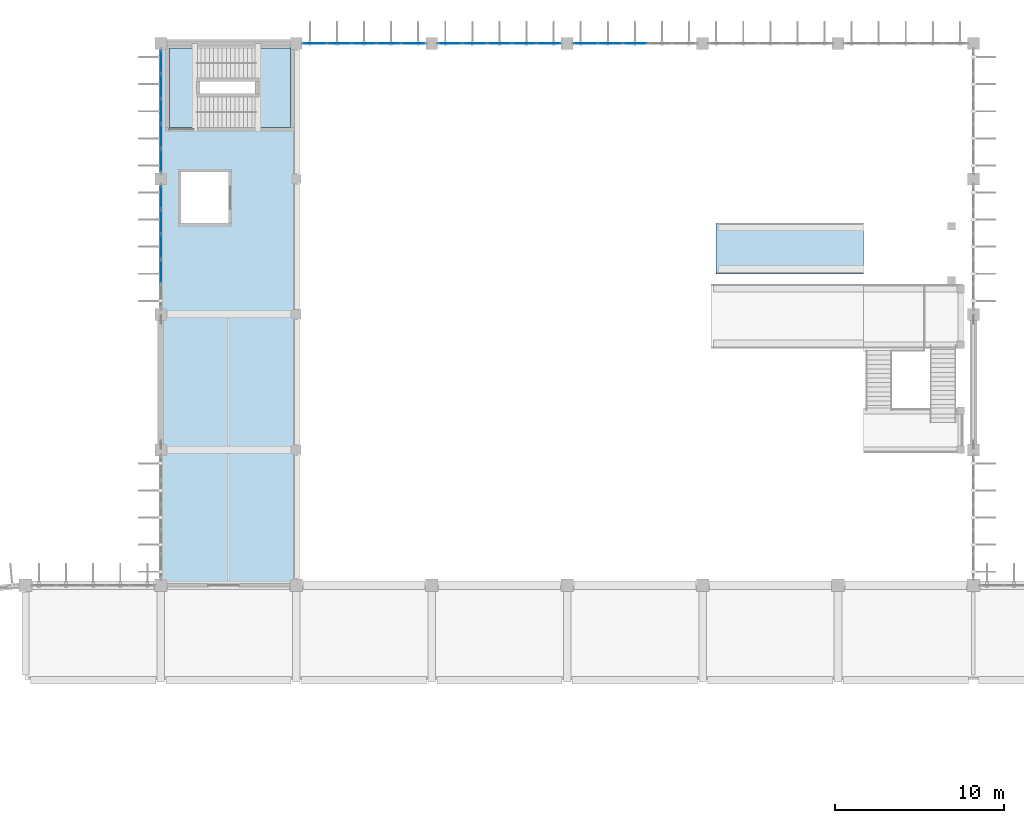
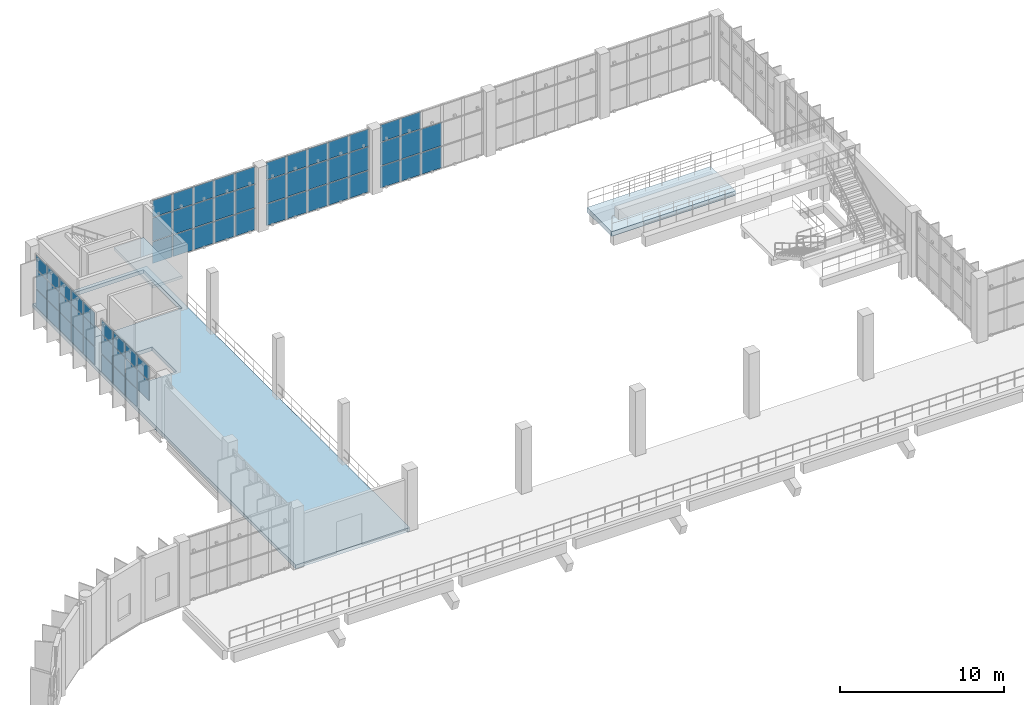
# One storey, part 55 of 93: 64 plates, 4 slabs, 6 elements without a shape of their own.
"""IFC4 building model written with IfcOpenShell, lengths in metres."""

from ifc_helpers import new_model, si_unit, direction, frame, origin, origin_2d, place, context, subcontext, project, spatial, polyline, rectangle, outline, extrude, material, layer, layer_set, type_object, element, aggregate, save


model = new_model("IFC4")

# Units and contexts
model_context = context("Model", 3, precision=1e-05, world=origin(), true_north=direction((0.0, 1.0)))
body_context = subcontext(model_context, "Body", "Model", "MODEL_VIEW")
ifc_project = project(units=[si_unit("LENGTHUNIT", "METRE"), si_unit("AREAUNIT", "SQUARE_METRE"), si_unit("VOLUMEUNIT", "CUBIC_METRE"), si_unit("PLANEANGLEUNIT", "RADIAN"), si_unit("MASSUNIT", "GRAM", prefix="KILO")], contexts=[model_context])

# Site, building, storey
site_placement = place(None, origin())
site = spatial("IfcSite", under=ifc_project, at=site_placement, CompositionType="ELEMENT")
building_placement = place(site_placement, origin())
building = spatial("IfcBuilding", under=site, at=building_placement, Name="Drelvana Railside Aquatics Centre", CompositionType="ELEMENT")
storey_placement = place(building_placement, frame((0.0, 0.0, 5.39990234375)))
storey = spatial("IfcBuildingStorey", under=building, at=storey_placement, Name="L01", CompositionType="ELEMENT", Elevation=5.39990234375)

# Curtain wall, plates
ifc_material_1 = material(Name="Bronze-anodised aluminium curtain wall", Category="aluminium")
ifc_layer_1 = layer(ifc_material_1, 0.179931640625, Name="Bronze-anodised aluminium curtain wall")
ifc_layer_set_1 = layer_set([ifc_layer_1], Name="Bronze-anodised aluminium curtain wall")
curtain_wall_type_1 = type_object("IfcCurtainWallType", Name="CW-Z2-CLER", PredefinedType="NOTDEFINED", material=ifc_layer_set_1)
curtain_wall_1_placement = place(storey_placement, origin())
curtain_wall_1 = element("IfcCurtainWall", 1, at=curtain_wall_1_placement, inside=storey, type_object=curtain_wall_type_1, Name="Curtain wall CW-02-029", PredefinedType="NOTDEFINED")
ifc_material_2 = material(Name="Double-glazed low-e solar-control glass", Category="glass")
ifc_layer_2 = layer(ifc_material_2, 0.028076171875, Name="Double-glazed low-e solar-control glass")
ifc_layer_set_2 = layer_set([ifc_layer_2], Name="Double-glazed low-e solar-control glass")
plate_type_1 = type_object("IfcPlateType", Name="CW-Z2-CLER-PAN", PredefinedType="CURTAIN_PANEL", material=ifc_layer_set_2)
plate_1_placement = place(storey_placement, frame((33.0927734375, 116.0, 0.05419921875), z_axis=(0.0, 0.0, 1.0), x_axis=(1.0, 0.0, 0.0)))
plate_1 = element("IfcPlate", 2, at=plate_1_placement, type_object=plate_type_1, Name="CW-02 panel 1.1", PredefinedType="CURTAIN_PANEL", context=body_context, shape_type="SweptSolid", body=[
    extrude(rectangle(XDim=1.367431640625, YDim=0.028076171875, at=origin_2d()), origin(), (0.0, 0.0, 1.0), 1.591552734375),
])
plate_2_placement = place(storey_placement, frame((33.0927734375, 116.0, 1.70068359375), z_axis=(0.0, 0.0, 1.0), x_axis=(1.0, 0.0, 0.0)))
plate_2 = element("IfcPlate", 3, at=plate_2_placement, type_object=plate_type_1, Name="CW-02 panel 1.2", PredefinedType="CURTAIN_PANEL", context=body_context, shape_type="SweptSolid", body=[
    extrude(rectangle(XDim=1.367431640625, YDim=0.028076171875, at=origin_2d()), origin(), (0.0, 0.0, 1.0), 1.718994140625),
])
plate_3_placement = place(storey_placement, frame((33.0927734375, 116.0, 3.474609375), z_axis=(0.0, 0.0, 1.0), x_axis=(1.0, 0.0, 0.0)))
plate_3 = element("IfcPlate", 4, at=plate_3_placement, type_object=plate_type_1, Name="CW-02 panel 1.3", PredefinedType="CURTAIN_PANEL", context=body_context, shape_type="SweptSolid", body=[
    extrude(rectangle(XDim=1.367431640625, YDim=0.028076171875, at=origin_2d()), origin(), (0.0, 0.0, 1.0), 1.255615234375),
])
plate_4_placement = place(storey_placement, frame((34.53759765625, 116.0, 0.05419921875), z_axis=(0.0, 0.0, 1.0), x_axis=(1.0, 0.0, 0.0)))
plate_4 = element("IfcPlate", 5, at=plate_4_placement, type_object=plate_type_1, Name="CW-02 panel 2.1", PredefinedType="CURTAIN_PANEL", context=body_context, shape_type="SweptSolid", body=[
    extrude(rectangle(XDim=1.40234375, YDim=0.028076171875, at=origin_2d()), origin(), (0.0, 0.0, 1.0), 1.591552734375),
])
plate_5_placement = place(storey_placement, frame((34.53759765625, 116.0, 1.70068359375), z_axis=(0.0, 0.0, 1.0), x_axis=(1.0, 0.0, 0.0)))
plate_5 = element("IfcPlate", 6, at=plate_5_placement, type_object=plate_type_1, Name="CW-02 panel 2.2", PredefinedType="CURTAIN_PANEL", context=body_context, shape_type="SweptSolid", body=[
    extrude(rectangle(XDim=1.40234375, YDim=0.028076171875, at=origin_2d()), origin(), (0.0, 0.0, 1.0), 1.718994140625),
])
plate_6_placement = place(storey_placement, frame((34.53759765625, 116.0, 3.474609375), z_axis=(0.0, 0.0, 1.0), x_axis=(1.0, 0.0, 0.0)))
plate_6 = element("IfcPlate", 7, at=plate_6_placement, type_object=plate_type_1, Name="CW-02 panel 2.3", PredefinedType="CURTAIN_PANEL", context=body_context, shape_type="SweptSolid", body=[
    extrude(rectangle(XDim=1.40234375, YDim=0.028076171875, at=origin_2d()), origin(), (0.0, 0.0, 1.0), 1.255615234375),
])
plate_7_placement = place(storey_placement, frame((36.0, 116.0, 0.05419921875), z_axis=(0.0, 0.0, 1.0), x_axis=(1.0, 0.0, 0.0)))
plate_7 = element("IfcPlate", 8, at=plate_7_placement, type_object=plate_type_1, Name="CW-02 panel 3.1", PredefinedType="CURTAIN_PANEL", context=body_context, shape_type="SweptSolid", body=[
    extrude(rectangle(XDim=1.40234375, YDim=0.028076171875, at=origin_2d()), origin(), (0.0, 0.0, 1.0), 1.591552734375),
])
plate_8_placement = place(storey_placement, frame((36.0, 116.0, 1.70068359375), z_axis=(0.0, 0.0, 1.0), x_axis=(1.0, 0.0, 0.0)))
plate_8 = element("IfcPlate", 9, at=plate_8_placement, type_object=plate_type_1, Name="CW-02 panel 3.2", PredefinedType="CURTAIN_PANEL", context=body_context, shape_type="SweptSolid", body=[
    extrude(rectangle(XDim=1.40234375, YDim=0.028076171875, at=origin_2d()), origin(), (0.0, 0.0, 1.0), 1.718994140625),
])
plate_9_placement = place(storey_placement, frame((36.0, 116.0, 3.474609375), z_axis=(0.0, 0.0, 1.0), x_axis=(1.0, 0.0, 0.0)))
plate_9 = element("IfcPlate", 10, at=plate_9_placement, type_object=plate_type_1, Name="CW-02 panel 3.3", PredefinedType="CURTAIN_PANEL", context=body_context, shape_type="SweptSolid", body=[
    extrude(rectangle(XDim=1.40234375, YDim=0.028076171875, at=origin_2d()), origin(), (0.0, 0.0, 1.0), 1.255615234375),
])
plate_10_placement = place(storey_placement, frame((37.46240234375, 116.0, 0.05419921875), z_axis=(0.0, 0.0, 1.0), x_axis=(1.0, 0.0, 0.0)))
plate_10 = element("IfcPlate", 11, at=plate_10_placement, type_object=plate_type_1, Name="CW-02 panel 4.1", PredefinedType="CURTAIN_PANEL", context=body_context, shape_type="SweptSolid", body=[
    extrude(rectangle(XDim=1.40234375, YDim=0.028076171875, at=origin_2d()), origin(), (0.0, 0.0, 1.0), 1.591552734375),
])
plate_11_placement = place(storey_placement, frame((37.46240234375, 116.0, 1.70068359375), z_axis=(0.0, 0.0, 1.0), x_axis=(1.0, 0.0, 0.0)))
plate_11 = element("IfcPlate", 12, at=plate_11_placement, type_object=plate_type_1, Name="CW-02 panel 4.2", PredefinedType="CURTAIN_PANEL", context=body_context, shape_type="SweptSolid", body=[
    extrude(rectangle(XDim=1.40234375, YDim=0.028076171875, at=origin_2d()), origin(), (0.0, 0.0, 1.0), 1.718994140625),
])
plate_12_placement = place(storey_placement, frame((37.46240234375, 116.0, 3.474609375), z_axis=(0.0, 0.0, 1.0), x_axis=(1.0, 0.0, 0.0)))
plate_12 = element("IfcPlate", 13, at=plate_12_placement, type_object=plate_type_1, Name="CW-02 panel 4.3", PredefinedType="CURTAIN_PANEL", context=body_context, shape_type="SweptSolid", body=[
    extrude(rectangle(XDim=1.40234375, YDim=0.028076171875, at=origin_2d()), origin(), (0.0, 0.0, 1.0), 1.255615234375),
])
plate_13_placement = place(storey_placement, frame((38.9072265625, 116.0, 0.05419921875), z_axis=(0.0, 0.0, 1.0), x_axis=(1.0, 0.0, 0.0)))
plate_13 = element("IfcPlate", 14, at=plate_13_placement, type_object=plate_type_1, Name="CW-02 panel 5.1", PredefinedType="CURTAIN_PANEL", context=body_context, shape_type="SweptSolid", body=[
    extrude(rectangle(XDim=1.367431640625, YDim=0.028076171875, at=origin_2d()), origin(), (0.0, 0.0, 1.0), 1.591552734375),
])
plate_14_placement = place(storey_placement, frame((38.9072265625, 116.0, 1.70068359375), z_axis=(0.0, 0.0, 1.0), x_axis=(1.0, 0.0, 0.0)))
plate_14 = element("IfcPlate", 15, at=plate_14_placement, type_object=plate_type_1, Name="CW-02 panel 5.2", PredefinedType="CURTAIN_PANEL", context=body_context, shape_type="SweptSolid", body=[
    extrude(rectangle(XDim=1.367431640625, YDim=0.028076171875, at=origin_2d()), origin(), (0.0, 0.0, 1.0), 1.718994140625),
])
plate_15_placement = place(storey_placement, frame((38.9072265625, 116.0, 3.474609375), z_axis=(0.0, 0.0, 1.0), x_axis=(1.0, 0.0, 0.0)))
plate_15 = element("IfcPlate", 16, at=plate_15_placement, type_object=plate_type_1, Name="CW-02 panel 5.3", PredefinedType="CURTAIN_PANEL", context=body_context, shape_type="SweptSolid", body=[
    extrude(rectangle(XDim=1.367431640625, YDim=0.028076171875, at=origin_2d()), origin(), (0.0, 0.0, 1.0), 1.255615234375),
])
aggregate(curtain_wall_1, [plate_1, plate_2, plate_3, plate_4, plate_5, plate_6, plate_7, plate_8, plate_9, plate_10, plate_11, plate_12, plate_13, plate_14, plate_15])

curtain_wall_2_placement = place(storey_placement, origin())
curtain_wall_2 = element("IfcCurtainWall", 17, at=curtain_wall_2_placement, inside=storey, type_object=curtain_wall_type_1, Name="Curtain wall CW-02-032", PredefinedType="NOTDEFINED")
plate_16_placement = place(storey_placement, frame((41.0927734375, 116.0, 0.05419921875), z_axis=(0.0, 0.0, 1.0), x_axis=(1.0, 0.0, 0.0)))
plate_16 = element("IfcPlate", 18, at=plate_16_placement, type_object=plate_type_1, Name="CW-02 panel 1.1", PredefinedType="CURTAIN_PANEL", context=body_context, shape_type="SweptSolid", body=[
    extrude(rectangle(XDim=1.367431640625, YDim=0.028076171875, at=origin_2d()), origin(), (0.0, 0.0, 1.0), 1.591552734375),
])
plate_17_placement = place(storey_placement, frame((41.0927734375, 116.0, 1.70068359375), z_axis=(0.0, 0.0, 1.0), x_axis=(1.0, 0.0, 0.0)))
plate_17 = element("IfcPlate", 19, at=plate_17_placement, type_object=plate_type_1, Name="CW-02 panel 1.2", PredefinedType="CURTAIN_PANEL", context=body_context, shape_type="SweptSolid", body=[
    extrude(rectangle(XDim=1.367431640625, YDim=0.028076171875, at=origin_2d()), origin(), (0.0, 0.0, 1.0), 1.718994140625),
])
plate_18_placement = place(storey_placement, frame((41.0927734375, 116.0, 3.474609375), z_axis=(0.0, 0.0, 1.0), x_axis=(1.0, 0.0, 0.0)))
plate_18 = element("IfcPlate", 20, at=plate_18_placement, type_object=plate_type_1, Name="CW-02 panel 1.3", PredefinedType="CURTAIN_PANEL", context=body_context, shape_type="SweptSolid", body=[
    extrude(rectangle(XDim=1.367431640625, YDim=0.028076171875, at=origin_2d()), origin(), (0.0, 0.0, 1.0), 1.255615234375),
])
plate_19_placement = place(storey_placement, frame((42.53759765625, 116.0, 0.05419921875), z_axis=(0.0, 0.0, 1.0), x_axis=(1.0, 0.0, 0.0)))
plate_19 = element("IfcPlate", 21, at=plate_19_placement, type_object=plate_type_1, Name="CW-02 panel 2.1", PredefinedType="CURTAIN_PANEL", context=body_context, shape_type="SweptSolid", body=[
    extrude(rectangle(XDim=1.40234375, YDim=0.028076171875, at=origin_2d()), origin(), (0.0, 0.0, 1.0), 1.591552734375),
])
plate_20_placement = place(storey_placement, frame((42.53759765625, 116.0, 1.70068359375), z_axis=(0.0, 0.0, 1.0), x_axis=(1.0, 0.0, 0.0)))
plate_20 = element("IfcPlate", 22, at=plate_20_placement, type_object=plate_type_1, Name="CW-02 panel 2.2", PredefinedType="CURTAIN_PANEL", context=body_context, shape_type="SweptSolid", body=[
    extrude(rectangle(XDim=1.40234375, YDim=0.028076171875, at=origin_2d()), origin(), (0.0, 0.0, 1.0), 1.718994140625),
])
plate_21_placement = place(storey_placement, frame((42.53759765625, 116.0, 3.474609375), z_axis=(0.0, 0.0, 1.0), x_axis=(1.0, 0.0, 0.0)))
plate_21 = element("IfcPlate", 23, at=plate_21_placement, type_object=plate_type_1, Name="CW-02 panel 2.3", PredefinedType="CURTAIN_PANEL", context=body_context, shape_type="SweptSolid", body=[
    extrude(rectangle(XDim=1.40234375, YDim=0.028076171875, at=origin_2d()), origin(), (0.0, 0.0, 1.0), 1.255615234375),
])
plate_22_placement = place(storey_placement, frame((44.0, 116.0, 0.05419921875), z_axis=(0.0, 0.0, 1.0), x_axis=(1.0, 0.0, 0.0)))
plate_22 = element("IfcPlate", 24, at=plate_22_placement, type_object=plate_type_1, Name="CW-02 panel 3.1", PredefinedType="CURTAIN_PANEL", context=body_context, shape_type="SweptSolid", body=[
    extrude(rectangle(XDim=1.40234375, YDim=0.028076171875, at=origin_2d()), origin(), (0.0, 0.0, 1.0), 1.591552734375),
])
plate_23_placement = place(storey_placement, frame((44.0, 116.0, 1.70068359375), z_axis=(0.0, 0.0, 1.0), x_axis=(1.0, 0.0, 0.0)))
plate_23 = element("IfcPlate", 25, at=plate_23_placement, type_object=plate_type_1, Name="CW-02 panel 3.2", PredefinedType="CURTAIN_PANEL", context=body_context, shape_type="SweptSolid", body=[
    extrude(rectangle(XDim=1.40234375, YDim=0.028076171875, at=origin_2d()), origin(), (0.0, 0.0, 1.0), 1.718994140625),
])
plate_24_placement = place(storey_placement, frame((44.0, 116.0, 3.474609375), z_axis=(0.0, 0.0, 1.0), x_axis=(1.0, 0.0, 0.0)))
plate_24 = element("IfcPlate", 26, at=plate_24_placement, type_object=plate_type_1, Name="CW-02 panel 3.3", PredefinedType="CURTAIN_PANEL", context=body_context, shape_type="SweptSolid", body=[
    extrude(rectangle(XDim=1.40234375, YDim=0.028076171875, at=origin_2d()), origin(), (0.0, 0.0, 1.0), 1.255615234375),
])
plate_25_placement = place(storey_placement, frame((45.46240234375, 116.0, 0.05419921875), z_axis=(0.0, 0.0, 1.0), x_axis=(1.0, 0.0, 0.0)))
plate_25 = element("IfcPlate", 27, at=plate_25_placement, type_object=plate_type_1, Name="CW-02 panel 4.1", PredefinedType="CURTAIN_PANEL", context=body_context, shape_type="SweptSolid", body=[
    extrude(rectangle(XDim=1.40234375, YDim=0.028076171875, at=origin_2d()), origin(), (0.0, 0.0, 1.0), 1.591552734375),
])
plate_26_placement = place(storey_placement, frame((45.46240234375, 116.0, 1.70068359375), z_axis=(0.0, 0.0, 1.0), x_axis=(1.0, 0.0, 0.0)))
plate_26 = element("IfcPlate", 28, at=plate_26_placement, type_object=plate_type_1, Name="CW-02 panel 4.2", PredefinedType="CURTAIN_PANEL", context=body_context, shape_type="SweptSolid", body=[
    extrude(rectangle(XDim=1.40234375, YDim=0.028076171875, at=origin_2d()), origin(), (0.0, 0.0, 1.0), 1.718994140625),
])
plate_27_placement = place(storey_placement, frame((45.46240234375, 116.0, 3.474609375), z_axis=(0.0, 0.0, 1.0), x_axis=(1.0, 0.0, 0.0)))
plate_27 = element("IfcPlate", 29, at=plate_27_placement, type_object=plate_type_1, Name="CW-02 panel 4.3", PredefinedType="CURTAIN_PANEL", context=body_context, shape_type="SweptSolid", body=[
    extrude(rectangle(XDim=1.40234375, YDim=0.028076171875, at=origin_2d()), origin(), (0.0, 0.0, 1.0), 1.255615234375),
])
plate_28_placement = place(storey_placement, frame((46.9072265625, 116.0, 0.05419921875), z_axis=(0.0, 0.0, 1.0), x_axis=(1.0, 0.0, 0.0)))
plate_28 = element("IfcPlate", 30, at=plate_28_placement, type_object=plate_type_1, Name="CW-02 panel 5.1", PredefinedType="CURTAIN_PANEL", context=body_context, shape_type="SweptSolid", body=[
    extrude(rectangle(XDim=1.367431640625, YDim=0.028076171875, at=origin_2d()), origin(), (0.0, 0.0, 1.0), 1.591552734375),
])
plate_29_placement = place(storey_placement, frame((46.9072265625, 116.0, 1.70068359375), z_axis=(0.0, 0.0, 1.0), x_axis=(1.0, 0.0, 0.0)))
plate_29 = element("IfcPlate", 31, at=plate_29_placement, type_object=plate_type_1, Name="CW-02 panel 5.2", PredefinedType="CURTAIN_PANEL", context=body_context, shape_type="SweptSolid", body=[
    extrude(rectangle(XDim=1.367431640625, YDim=0.028076171875, at=origin_2d()), origin(), (0.0, 0.0, 1.0), 1.718994140625),
])
plate_30_placement = place(storey_placement, frame((46.9072265625, 116.0, 3.474609375), z_axis=(0.0, 0.0, 1.0), x_axis=(1.0, 0.0, 0.0)))
plate_30 = element("IfcPlate", 32, at=plate_30_placement, type_object=plate_type_1, Name="CW-02 panel 5.3", PredefinedType="CURTAIN_PANEL", context=body_context, shape_type="SweptSolid", body=[
    extrude(rectangle(XDim=1.367431640625, YDim=0.028076171875, at=origin_2d()), origin(), (0.0, 0.0, 1.0), 1.255615234375),
])
aggregate(curtain_wall_2, [plate_16, plate_17, plate_18, plate_19, plate_20, plate_21, plate_22, plate_23, plate_24, plate_25, plate_26, plate_27, plate_28, plate_29, plate_30])

curtain_wall_3_placement = place(storey_placement, origin())
curtain_wall_3 = element("IfcCurtainWall", 33, at=curtain_wall_3_placement, inside=storey, type_object=curtain_wall_type_1, Name="Curtain wall CW-02-035", PredefinedType="NOTDEFINED")
plate_31_placement = place(storey_placement, frame((49.0927734375, 116.0, 0.05419921875), z_axis=(0.0, 0.0, 1.0), x_axis=(1.0, 0.0, 0.0)))
plate_31 = element("IfcPlate", 34, at=plate_31_placement, type_object=plate_type_1, Name="CW-02 panel 1.1", PredefinedType="CURTAIN_PANEL", context=body_context, shape_type="SweptSolid", body=[
    extrude(rectangle(XDim=1.367431640625, YDim=0.028076171875, at=origin_2d()), origin(), (0.0, 0.0, 1.0), 1.591552734375),
])
plate_32_placement = place(storey_placement, frame((49.0927734375, 116.0, 1.70068359375), z_axis=(0.0, 0.0, 1.0), x_axis=(1.0, 0.0, 0.0)))
plate_32 = element("IfcPlate", 35, at=plate_32_placement, type_object=plate_type_1, Name="CW-02 panel 1.2", PredefinedType="CURTAIN_PANEL", context=body_context, shape_type="SweptSolid", body=[
    extrude(rectangle(XDim=1.367431640625, YDim=0.028076171875, at=origin_2d()), origin(), (0.0, 0.0, 1.0), 1.718994140625),
])
plate_33_placement = place(storey_placement, frame((49.0927734375, 116.0, 3.474609375), z_axis=(0.0, 0.0, 1.0), x_axis=(1.0, 0.0, 0.0)))
plate_33 = element("IfcPlate", 36, at=plate_33_placement, type_object=plate_type_1, Name="CW-02 panel 1.3", PredefinedType="CURTAIN_PANEL", context=body_context, shape_type="SweptSolid", body=[
    extrude(rectangle(XDim=1.367431640625, YDim=0.028076171875, at=origin_2d()), origin(), (0.0, 0.0, 1.0), 1.255615234375),
])
plate_34_placement = place(storey_placement, frame((50.53759765625, 116.0, 0.05419921875), z_axis=(0.0, 0.0, 1.0), x_axis=(1.0, 0.0, 0.0)))
plate_34 = element("IfcPlate", 37, at=plate_34_placement, type_object=plate_type_1, Name="CW-02 panel 2.1", PredefinedType="CURTAIN_PANEL", context=body_context, shape_type="SweptSolid", body=[
    extrude(rectangle(XDim=1.40234375, YDim=0.028076171875, at=origin_2d()), origin(), (0.0, 0.0, 1.0), 1.591552734375),
])
plate_35_placement = place(storey_placement, frame((50.53759765625, 116.0, 1.70068359375), z_axis=(0.0, 0.0, 1.0), x_axis=(1.0, 0.0, 0.0)))
plate_35 = element("IfcPlate", 38, at=plate_35_placement, type_object=plate_type_1, Name="CW-02 panel 2.2", PredefinedType="CURTAIN_PANEL", context=body_context, shape_type="SweptSolid", body=[
    extrude(rectangle(XDim=1.40234375, YDim=0.028076171875, at=origin_2d()), origin(), (0.0, 0.0, 1.0), 1.718994140625),
])
plate_36_placement = place(storey_placement, frame((50.53759765625, 116.0, 3.474609375), z_axis=(0.0, 0.0, 1.0), x_axis=(1.0, 0.0, 0.0)))
plate_36 = element("IfcPlate", 39, at=plate_36_placement, type_object=plate_type_1, Name="CW-02 panel 2.3", PredefinedType="CURTAIN_PANEL", context=body_context, shape_type="SweptSolid", body=[
    extrude(rectangle(XDim=1.40234375, YDim=0.028076171875, at=origin_2d()), origin(), (0.0, 0.0, 1.0), 1.255615234375),
])
plate_37_placement = place(storey_placement, frame((52.0, 116.0, 0.05419921875), z_axis=(0.0, 0.0, 1.0), x_axis=(1.0, 0.0, 0.0)))
plate_37 = element("IfcPlate", 40, at=plate_37_placement, type_object=plate_type_1, Name="CW-02 panel 3.1", PredefinedType="CURTAIN_PANEL", context=body_context, shape_type="SweptSolid", body=[
    extrude(rectangle(XDim=1.40234375, YDim=0.028076171875, at=origin_2d()), origin(), (0.0, 0.0, 1.0), 1.591552734375),
])
plate_38_placement = place(storey_placement, frame((52.0, 116.0, 1.70068359375), z_axis=(0.0, 0.0, 1.0), x_axis=(1.0, 0.0, 0.0)))
plate_38 = element("IfcPlate", 41, at=plate_38_placement, type_object=plate_type_1, Name="CW-02 panel 3.2", PredefinedType="CURTAIN_PANEL", context=body_context, shape_type="SweptSolid", body=[
    extrude(rectangle(XDim=1.40234375, YDim=0.028076171875, at=origin_2d()), origin(), (0.0, 0.0, 1.0), 1.718994140625),
])
aggregate(curtain_wall_3, [plate_31, plate_32, plate_33, plate_34, plate_35, plate_36, plate_37, plate_38])

ifc_layer_3 = layer(ifc_material_1, 0.2099609375, Name="Bronze-anodised aluminium curtain wall")
ifc_layer_set_3 = layer_set([ifc_layer_3], Name="Bronze-anodised aluminium curtain wall")
curtain_wall_type_2 = type_object("IfcCurtainWallType", Name="CW-Z7-DIVE", PredefinedType="NOTDEFINED", material=ifc_layer_set_3)
curtain_wall_4_placement = place(storey_placement, origin())
curtain_wall_4 = element("IfcCurtainWall", 42, at=curtain_wall_4_placement, inside=storey, type_object=curtain_wall_type_2, Name="Curtain wall CW-07-085", PredefinedType="NOTDEFINED")
ifc_layer_4 = layer(ifc_material_2, 0.033935546875, Name="Double-glazed low-e solar-control glass")
ifc_layer_set_4 = layer_set([ifc_layer_4], Name="Double-glazed low-e solar-control glass")
plate_type_2 = type_object("IfcPlateType", Name="CW-Z7-DIVE-PAN", PredefinedType="CURTAIN_PANEL", material=ifc_layer_set_4)
plate_39_placement = place(storey_placement, frame((24.0, 102.53759765625, 1.419189453125), z_axis=(0.0, 0.0, 1.0), x_axis=(0.0, 1.0, 0.0)))
plate_39 = element("IfcPlate", 43, at=plate_39_placement, type_object=plate_type_2, Name="CW-07 panel 2.2", PredefinedType="CURTAIN_PANEL", context=body_context, shape_type="SweptSolid", body=[
    extrude(rectangle(XDim=1.392333984375, YDim=0.033935546875, at=origin_2d()), origin(), (0.0, 0.0, 1.0), 1.4150390625),
])
plate_40_placement = place(storey_placement, frame((24.0, 102.53759765625, 2.89404296875), z_axis=(0.0, 0.0, 1.0), x_axis=(0.0, 1.0, 0.0)))
plate_40 = element("IfcPlate", 44, at=plate_40_placement, type_object=plate_type_2, Name="CW-07 panel 2.3", PredefinedType="CURTAIN_PANEL", context=body_context, shape_type="SweptSolid", body=[
    extrude(rectangle(XDim=1.392333984375, YDim=0.033935546875, at=origin_2d()), origin(), (0.0, 0.0, 1.0), 1.02099609375),
])
plate_41_placement = place(storey_placement, frame((24.0, 104.0, 0.05908203125), z_axis=(0.0, 0.0, 1.0), x_axis=(0.0, 1.0, 0.0)))
plate_41 = element("IfcPlate", 45, at=plate_41_placement, type_object=plate_type_2, Name="CW-07 panel 3.1", PredefinedType="CURTAIN_PANEL", context=body_context, shape_type="SweptSolid", body=[
    extrude(rectangle(XDim=1.392333984375, YDim=0.033935546875, at=origin_2d()), origin(), (0.0, 0.0, 1.0), 1.300048828125),
])
plate_42_placement = place(storey_placement, frame((24.0, 104.0, 1.419189453125), z_axis=(0.0, 0.0, 1.0), x_axis=(0.0, 1.0, 0.0)))
plate_42 = element("IfcPlate", 46, at=plate_42_placement, type_object=plate_type_2, Name="CW-07 panel 3.2", PredefinedType="CURTAIN_PANEL", context=body_context, shape_type="SweptSolid", body=[
    extrude(rectangle(XDim=1.392333984375, YDim=0.033935546875, at=origin_2d()), origin(), (0.0, 0.0, 1.0), 1.4150390625),
])
plate_43_placement = place(storey_placement, frame((24.0, 104.0, 2.89404296875), z_axis=(0.0, 0.0, 1.0), x_axis=(0.0, 1.0, 0.0)))
plate_43 = element("IfcPlate", 47, at=plate_43_placement, type_object=plate_type_2, Name="CW-07 panel 3.3", PredefinedType="CURTAIN_PANEL", context=body_context, shape_type="SweptSolid", body=[
    extrude(rectangle(XDim=1.392333984375, YDim=0.033935546875, at=origin_2d()), origin(), (0.0, 0.0, 1.0), 1.02099609375),
])
plate_44_placement = place(storey_placement, frame((24.0, 105.46240234375, 0.05908203125), z_axis=(0.0, 0.0, 1.0), x_axis=(0.0, 1.0, 0.0)))
plate_44 = element("IfcPlate", 48, at=plate_44_placement, type_object=plate_type_2, Name="CW-07 panel 4.1", PredefinedType="CURTAIN_PANEL", context=body_context, shape_type="SweptSolid", body=[
    extrude(rectangle(XDim=1.392333984375, YDim=0.033935546875, at=origin_2d()), origin(), (0.0, 0.0, 1.0), 1.300048828125),
])
plate_45_placement = place(storey_placement, frame((24.0, 105.46240234375, 1.419189453125), z_axis=(0.0, 0.0, 1.0), x_axis=(0.0, 1.0, 0.0)))
plate_45 = element("IfcPlate", 49, at=plate_45_placement, type_object=plate_type_2, Name="CW-07 panel 4.2", PredefinedType="CURTAIN_PANEL", context=body_context, shape_type="SweptSolid", body=[
    extrude(rectangle(XDim=1.392333984375, YDim=0.033935546875, at=origin_2d()), origin(), (0.0, 0.0, 1.0), 1.4150390625),
])
plate_46_placement = place(storey_placement, frame((24.0, 105.46240234375, 2.89404296875), z_axis=(0.0, 0.0, 1.0), x_axis=(0.0, 1.0, 0.0)))
plate_46 = element("IfcPlate", 50, at=plate_46_placement, type_object=plate_type_2, Name="CW-07 panel 4.3", PredefinedType="CURTAIN_PANEL", context=body_context, shape_type="SweptSolid", body=[
    extrude(rectangle(XDim=1.392333984375, YDim=0.033935546875, at=origin_2d()), origin(), (0.0, 0.0, 1.0), 1.02099609375),
])
plate_47_placement = place(storey_placement, frame((24.0, 106.90478515625, 0.05908203125), z_axis=(0.0, 0.0, 1.0), x_axis=(0.0, 1.0, 0.0)))
plate_47 = element("IfcPlate", 51, at=plate_47_placement, type_object=plate_type_2, Name="CW-07 panel 5.1", PredefinedType="CURTAIN_PANEL", context=body_context, shape_type="SweptSolid", body=[
    extrude(rectangle(XDim=1.352294921875, YDim=0.033935546875, at=origin_2d()), origin(), (0.0, 0.0, 1.0), 1.300048828125),
])
plate_48_placement = place(storey_placement, frame((24.0, 106.90478515625, 1.419189453125), z_axis=(0.0, 0.0, 1.0), x_axis=(0.0, 1.0, 0.0)))
plate_48 = element("IfcPlate", 52, at=plate_48_placement, type_object=plate_type_2, Name="CW-07 panel 5.2", PredefinedType="CURTAIN_PANEL", context=body_context, shape_type="SweptSolid", body=[
    extrude(rectangle(XDim=1.352294921875, YDim=0.033935546875, at=origin_2d()), origin(), (0.0, 0.0, 1.0), 1.4150390625),
])
plate_49_placement = place(storey_placement, frame((24.0, 106.90478515625, 2.89404296875), z_axis=(0.0, 0.0, 1.0), x_axis=(0.0, 1.0, 0.0)))
plate_49 = element("IfcPlate", 53, at=plate_49_placement, type_object=plate_type_2, Name="CW-07 panel 5.3", PredefinedType="CURTAIN_PANEL", context=body_context, shape_type="SweptSolid", body=[
    extrude(rectangle(XDim=1.352294921875, YDim=0.033935546875, at=origin_2d()), origin(), (0.0, 0.0, 1.0), 1.02099609375),
])
aggregate(curtain_wall_4, [plate_39, plate_40, plate_41, plate_42, plate_43, plate_44, plate_45, plate_46, plate_47, plate_48, plate_49])

curtain_wall_5_placement = place(storey_placement, origin())
curtain_wall_5 = element("IfcCurtainWall", 54, at=curtain_wall_5_placement, inside=storey, type_object=curtain_wall_type_2, Name="Curtain wall CW-07-088", PredefinedType="NOTDEFINED")
plate_50_placement = place(storey_placement, frame((24.0, 109.09521484375, 0.05908203125), z_axis=(0.0, 0.0, 1.0), x_axis=(0.0, 1.0, 0.0)))
plate_50 = element("IfcPlate", 55, at=plate_50_placement, type_object=plate_type_2, Name="CW-07 panel 1.1", PredefinedType="CURTAIN_PANEL", context=body_context, shape_type="SweptSolid", body=[
    extrude(rectangle(XDim=1.352294921875, YDim=0.033935546875, at=origin_2d()), origin(), (0.0, 0.0, 1.0), 1.300048828125),
])
plate_51_placement = place(storey_placement, frame((24.0, 109.09521484375, 1.419189453125), z_axis=(0.0, 0.0, 1.0), x_axis=(0.0, 1.0, 0.0)))
plate_51 = element("IfcPlate", 56, at=plate_51_placement, type_object=plate_type_2, Name="CW-07 panel 1.2", PredefinedType="CURTAIN_PANEL", context=body_context, shape_type="SweptSolid", body=[
    extrude(rectangle(XDim=1.352294921875, YDim=0.033935546875, at=origin_2d()), origin(), (0.0, 0.0, 1.0), 1.4150390625),
])
plate_52_placement = place(storey_placement, frame((24.0, 109.09521484375, 2.89404296875), z_axis=(0.0, 0.0, 1.0), x_axis=(0.0, 1.0, 0.0)))
plate_52 = element("IfcPlate", 57, at=plate_52_placement, type_object=plate_type_2, Name="CW-07 panel 1.3", PredefinedType="CURTAIN_PANEL", context=body_context, shape_type="SweptSolid", body=[
    extrude(rectangle(XDim=1.352294921875, YDim=0.033935546875, at=origin_2d()), origin(), (0.0, 0.0, 1.0), 1.02099609375),
])
plate_53_placement = place(storey_placement, frame((24.0, 110.53759765625, 0.05908203125), z_axis=(0.0, 0.0, 1.0), x_axis=(0.0, 1.0, 0.0)))
plate_53 = element("IfcPlate", 58, at=plate_53_placement, type_object=plate_type_2, Name="CW-07 panel 2.1", PredefinedType="CURTAIN_PANEL", context=body_context, shape_type="SweptSolid", body=[
    extrude(rectangle(XDim=1.392333984375, YDim=0.033935546875, at=origin_2d()), origin(), (0.0, 0.0, 1.0), 1.300048828125),
])
plate_54_placement = place(storey_placement, frame((24.0, 110.53759765625, 1.419189453125), z_axis=(0.0, 0.0, 1.0), x_axis=(0.0, 1.0, 0.0)))
plate_54 = element("IfcPlate", 59, at=plate_54_placement, type_object=plate_type_2, Name="CW-07 panel 2.2", PredefinedType="CURTAIN_PANEL", context=body_context, shape_type="SweptSolid", body=[
    extrude(rectangle(XDim=1.392333984375, YDim=0.033935546875, at=origin_2d()), origin(), (0.0, 0.0, 1.0), 1.4150390625),
])
plate_55_placement = place(storey_placement, frame((24.0, 110.53759765625, 2.89404296875), z_axis=(0.0, 0.0, 1.0), x_axis=(0.0, 1.0, 0.0)))
plate_55 = element("IfcPlate", 60, at=plate_55_placement, type_object=plate_type_2, Name="CW-07 panel 2.3", PredefinedType="CURTAIN_PANEL", context=body_context, shape_type="SweptSolid", body=[
    extrude(rectangle(XDim=1.392333984375, YDim=0.033935546875, at=origin_2d()), origin(), (0.0, 0.0, 1.0), 1.02099609375),
])
plate_56_placement = place(storey_placement, frame((24.0, 112.0, 0.05908203125), z_axis=(0.0, 0.0, 1.0), x_axis=(0.0, 1.0, 0.0)))
plate_56 = element("IfcPlate", 61, at=plate_56_placement, type_object=plate_type_2, Name="CW-07 panel 3.1", PredefinedType="CURTAIN_PANEL", context=body_context, shape_type="SweptSolid", body=[
    extrude(rectangle(XDim=1.392333984375, YDim=0.033935546875, at=origin_2d()), origin(), (0.0, 0.0, 1.0), 1.300048828125),
])
plate_57_placement = place(storey_placement, frame((24.0, 112.0, 1.419189453125), z_axis=(0.0, 0.0, 1.0), x_axis=(0.0, 1.0, 0.0)))
plate_57 = element("IfcPlate", 62, at=plate_57_placement, type_object=plate_type_2, Name="CW-07 panel 3.2", PredefinedType="CURTAIN_PANEL", context=body_context, shape_type="SweptSolid", body=[
    extrude(rectangle(XDim=1.392333984375, YDim=0.033935546875, at=origin_2d()), origin(), (0.0, 0.0, 1.0), 1.4150390625),
])
plate_58_placement = place(storey_placement, frame((24.0, 112.0, 2.89404296875), z_axis=(0.0, 0.0, 1.0), x_axis=(0.0, 1.0, 0.0)))
plate_58 = element("IfcPlate", 63, at=plate_58_placement, type_object=plate_type_2, Name="CW-07 panel 3.3", PredefinedType="CURTAIN_PANEL", context=body_context, shape_type="SweptSolid", body=[
    extrude(rectangle(XDim=1.392333984375, YDim=0.033935546875, at=origin_2d()), origin(), (0.0, 0.0, 1.0), 1.02099609375),
])
plate_59_placement = place(storey_placement, frame((24.0, 113.46240234375, 0.05908203125), z_axis=(0.0, 0.0, 1.0), x_axis=(0.0, 1.0, 0.0)))
plate_59 = element("IfcPlate", 64, at=plate_59_placement, type_object=plate_type_2, Name="CW-07 panel 4.1", PredefinedType="CURTAIN_PANEL", context=body_context, shape_type="SweptSolid", body=[
    extrude(rectangle(XDim=1.392333984375, YDim=0.033935546875, at=origin_2d()), origin(), (0.0, 0.0, 1.0), 1.300048828125),
])
plate_60_placement = place(storey_placement, frame((24.0, 113.46240234375, 1.419189453125), z_axis=(0.0, 0.0, 1.0), x_axis=(0.0, 1.0, 0.0)))
plate_60 = element("IfcPlate", 65, at=plate_60_placement, type_object=plate_type_2, Name="CW-07 panel 4.2", PredefinedType="CURTAIN_PANEL", context=body_context, shape_type="SweptSolid", body=[
    extrude(rectangle(XDim=1.392333984375, YDim=0.033935546875, at=origin_2d()), origin(), (0.0, 0.0, 1.0), 1.4150390625),
])
plate_61_placement = place(storey_placement, frame((24.0, 113.46240234375, 2.89404296875), z_axis=(0.0, 0.0, 1.0), x_axis=(0.0, 1.0, 0.0)))
plate_61 = element("IfcPlate", 66, at=plate_61_placement, type_object=plate_type_2, Name="CW-07 panel 4.3", PredefinedType="CURTAIN_PANEL", context=body_context, shape_type="SweptSolid", body=[
    extrude(rectangle(XDim=1.392333984375, YDim=0.033935546875, at=origin_2d()), origin(), (0.0, 0.0, 1.0), 1.02099609375),
])
plate_62_placement = place(storey_placement, frame((24.0, 114.90478515625, 0.05908203125), z_axis=(0.0, 0.0, 1.0), x_axis=(0.0, 1.0, 0.0)))
plate_62 = element("IfcPlate", 67, at=plate_62_placement, type_object=plate_type_2, Name="CW-07 panel 5.1", PredefinedType="CURTAIN_PANEL", context=body_context, shape_type="SweptSolid", body=[
    extrude(rectangle(XDim=1.352294921875, YDim=0.033935546875, at=origin_2d()), origin(), (0.0, 0.0, 1.0), 1.300048828125),
])
plate_63_placement = place(storey_placement, frame((24.0, 114.90478515625, 1.419189453125), z_axis=(0.0, 0.0, 1.0), x_axis=(0.0, 1.0, 0.0)))
plate_63 = element("IfcPlate", 68, at=plate_63_placement, type_object=plate_type_2, Name="CW-07 panel 5.2", PredefinedType="CURTAIN_PANEL", context=body_context, shape_type="SweptSolid", body=[
    extrude(rectangle(XDim=1.352294921875, YDim=0.033935546875, at=origin_2d()), origin(), (0.0, 0.0, 1.0), 1.4150390625),
])
plate_64_placement = place(storey_placement, frame((24.0, 114.90478515625, 2.89404296875), z_axis=(0.0, 0.0, 1.0), x_axis=(0.0, 1.0, 0.0)))
plate_64 = element("IfcPlate", 69, at=plate_64_placement, type_object=plate_type_2, Name="CW-07 panel 5.3", PredefinedType="CURTAIN_PANEL", context=body_context, shape_type="SweptSolid", body=[
    extrude(rectangle(XDim=1.352294921875, YDim=0.033935546875, at=origin_2d()), origin(), (0.0, 0.0, 1.0), 1.02099609375),
])
aggregate(curtain_wall_5, [plate_50, plate_51, plate_52, plate_53, plate_54, plate_55, plate_56, plate_57, plate_58, plate_59, plate_60, plate_61, plate_62, plate_63, plate_64])

# Slabs
ifc_material_3 = material(Name="Concrete C40/50", Category="concrete")
ifc_layer_5 = layer(ifc_material_3, 0.340087890625, Name="Concrete C40/50")
ifc_layer_set_5 = layer_set([ifc_layer_5], Name="Concrete C40/50")
slab_type_1 = type_object("IfcSlabType", Name="SL-DV-340", PredefinedType="FLOOR", material=ifc_layer_set_5)
slab_1_placement = place(storey_placement, frame((0.0, 0.0, 1.760009765625)))
element("IfcSlab", 70, at=slab_1_placement, inside=storey, type_object=slab_type_1, Name="Diving platform 7M5 slab", PredefinedType="FLOOR", context=body_context, shape_type="SweptSolid", body=[
    extrude(outline(polyline([(56.800048828125, 102.39990234375), (65.5, 102.39990234375), (65.5, 105.39990234375), (56.800048828125, 105.39990234375), (56.800048828125, 102.39990234375)])), origin(), (0.0, 0.0, 1.0), 0.340087890625),
])
ifc_layer_6 = layer(ifc_material_3, 0.27490234375, Name="Concrete C40/50")
ifc_layer_set_6 = layer_set([ifc_layer_6], Name="Concrete C40/50")
slab_type_2 = type_object("IfcSlabType", Name="SL-L01-275", PredefinedType="FLOOR", material=ifc_layer_set_6)
slab_2_placement = place(storey_placement, frame((0.0, 0.0, -0.27490234375)))
element("IfcSlab", 71, at=slab_2_placement, inside=storey, type_object=slab_type_2, Name="Diving Hall west spectator gallery slab", PredefinedType="FLOOR", context=body_context, shape_type="SweptSolid", body=[
    extrude(outline(polyline([(24.0, 84.0), (32.0, 84.0), (32.0, 116.0), (24.0, 116.0), (24.0, 84.0)]), holes=[polyline([(24.5, 111.050048828125), (31.64990234375, 111.050048828125), (31.64990234375, 115.75), (24.5, 115.75), (24.5, 111.050048828125)]), polyline([(25.199951171875, 105.39990234375), (28.0, 105.39990234375), (28.0, 108.39990234375), (25.199951171875, 108.39990234375), (25.199951171875, 105.39990234375)])]), origin(), (0.0, 0.0, 1.0), 0.27490234375),
])
ifc_layer_7 = layer(ifc_material_3, 0.199951171875, Name="Concrete C40/50")
ifc_layer_set_7 = layer_set([ifc_layer_7], Name="Concrete C40/50")
slab_type_3 = type_object("IfcSlabType", Name="SL-LAND-200", PredefinedType="LANDING", material=ifc_layer_set_7)
slab_3_placement = place(storey_placement, frame((0.0, 0.0, -0.199951171875)))
element("IfcSlab", 72, at=slab_3_placement, inside=storey, type_object=slab_type_3, Name="Stair ST-03 L01 floor landing", PredefinedType="LANDING", context=body_context, shape_type="SweptSolid", body=[
    extrude(outline(polyline([(24.5, 111.050048828125), (26.179931640625, 111.050048828125), (26.179931640625, 115.75), (24.5, 115.75), (24.5, 111.050048828125)])), origin(), (0.0, 0.0, 1.0), 0.199951171875),
])

# Stair, slab
stair_type = type_object("IfcStairType", Name="ST-CORE-W160", PredefinedType="HALF_TURN_STAIR", material=ifc_material_3)
stair_placement = place(storey_placement, origin())
stair = element("IfcStair", 73, at=stair_placement, inside=storey, type_object=stair_type, Name="Exit stair ST-03 (L01 to L02)", PredefinedType="HALF_TURN_STAIR")
slab_4_placement = place(storey_placement, frame((0.0, 0.0, 2.2001953125)))
slab_4 = element("IfcSlab", 74, at=slab_4_placement, type_object=slab_type_3, Name="ST-NR landing 1", PredefinedType="LANDING", context=body_context, shape_type="SweptSolid", body=[
    extrude(outline(polyline([(29.56005859375, 111.050048828125), (31.64990234375, 111.050048828125), (31.64990234375, 115.75), (29.56005859375, 115.75), (29.56005859375, 111.050048828125)])), origin(), (0.0, 0.0, 1.0), 0.199951171875),
])
aggregate(stair, [slab_4])

save(model, "model.ifc")
